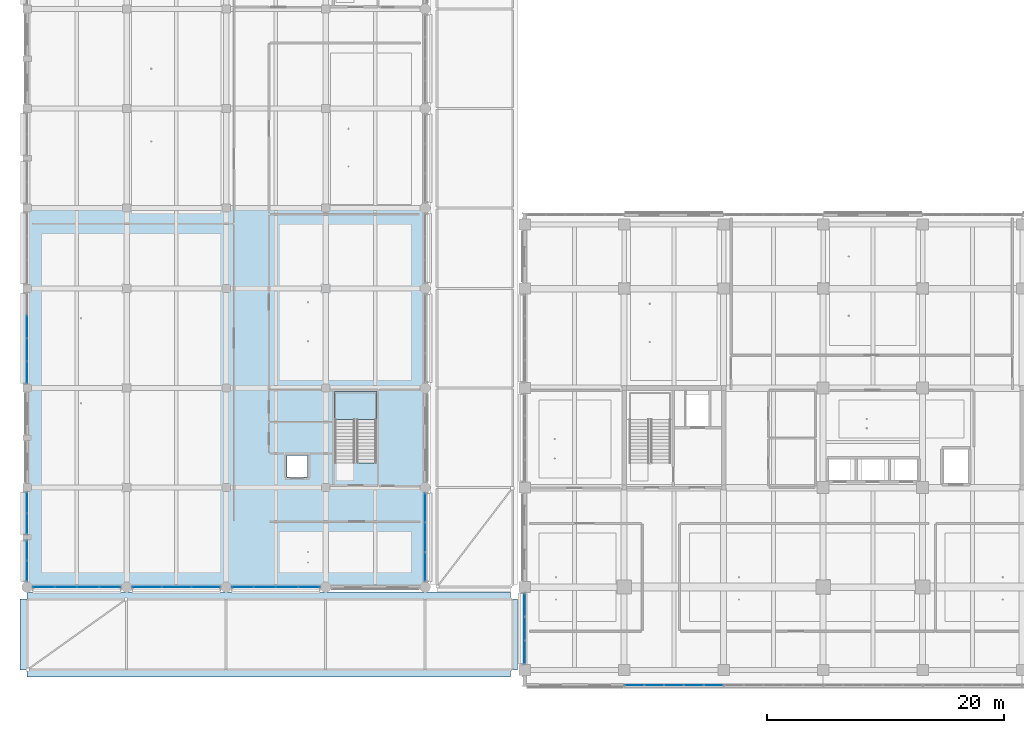
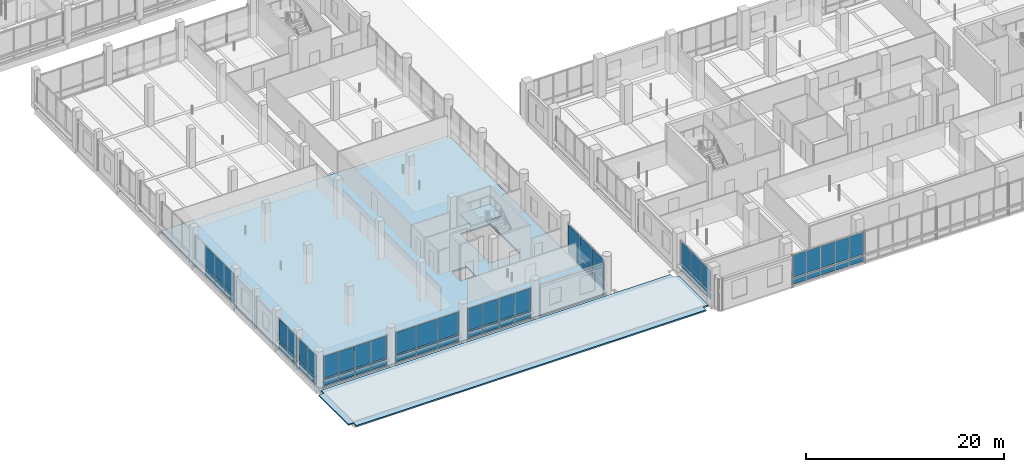
# One storey, part 38 of 128: 58 plates, 3 slabs, 10 elements without a shape of their own.
"""IFC4 building model written with IfcOpenShell, lengths in metres."""

from ifc_helpers import new_model, si_unit, direction, frame, origin, origin_2d, place, context, subcontext, project, spatial, polyline, rectangle, outline, extrude, material, layer, layer_set, type_object, element, aggregate, save


model = new_model("IFC4")

# Units and contexts
model_context = context("Model", 3, precision=1e-05, world=origin(), true_north=direction((0.0, 1.0)))
body_context = subcontext(model_context, "Body", "Model", "MODEL_VIEW")
ifc_project = project(units=[si_unit("LENGTHUNIT", "METRE"), si_unit("AREAUNIT", "SQUARE_METRE"), si_unit("VOLUMEUNIT", "CUBIC_METRE"), si_unit("PLANEANGLEUNIT", "RADIAN"), si_unit("MASSUNIT", "GRAM", prefix="KILO")], contexts=[model_context])

# Site, building, storey
site_placement = place(None, origin())
site = spatial("IfcSite", under=ifc_project, at=site_placement, CompositionType="ELEMENT")
building_placement = place(site_placement, origin())
building = spatial("IfcBuilding", under=site, at=building_placement, Name="Telukmera Botanical Conservatory", CompositionType="ELEMENT")
storey_placement = place(building_placement, frame((0.0, 0.0, 5.39990234375)))
storey = spatial("IfcBuildingStorey", under=building, at=storey_placement, Name="L01", CompositionType="ELEMENT", Elevation=5.39990234375)

# Stair, slab
ifc_material_1 = material(Name="Concrete C40/50", Category="concrete")
stair_type = type_object("IfcStairType", Name="ST-ESC-4800", PredefinedType="HALF_TURN_STAIR", material=ifc_material_1)
stair_placement = place(storey_placement, origin())
stair = element("IfcStair", 1, at=stair_placement, inside=storey, type_object=stair_type, Name="L01 Protected Escape Stair ST3", PredefinedType="HALF_TURN_STAIR")
ifc_layer_1 = layer(ifc_material_1, 0.199951171875)
ifc_layer_set_1 = layer_set([ifc_layer_1], Name="Concrete C40/50")
slab_type_1 = type_object("IfcSlabType", Name="SL-LAND-200", PredefinedType="LANDING", material=ifc_layer_set_1)
slab_1_placement = place(storey_placement, frame((0.0, 0.0, 2.2001953125)))
slab_1 = element("IfcSlab", 2, at=slab_1_placement, type_object=slab_type_1, Name="ST3 landing 1", PredefinedType="LANDING", context=body_context, shape_type="SweptSolid", body=[
    extrude(outline(polyline([(34.35009765625, 31.72998046875), (37.929931640625, 31.72998046875), (37.929931640625, 34.1201171875), (34.35009765625, 34.1201171875), (34.35009765625, 31.72998046875)])), origin(), (0.0, 0.0, 1.0), 0.199951171875),
])
aggregate(stair, [slab_1])

# Slabs
ifc_layer_2 = layer(ifc_material_1, 0.199951171875)
ifc_layer_set_2 = layer_set([ifc_layer_2], Name="Concrete C40/50")
slab_type_2 = type_object("IfcSlabType", Name="Slab_FS20", PredefinedType="FLOOR", material=ifc_layer_set_2)
slab_2_placement = place(storey_placement, frame((0.0, 0.0, -0.199951171875)))
element("IfcSlab", 3, at=slab_2_placement, inside=storey, type_object=slab_type_2, Name="Visitor Centre South Floor Slab L01", PredefinedType="FLOOR", context=body_context, shape_type="SweptSolid", body=[
    extrude(outline(polyline([(8.39990234375, 17.60009765625), (42.0, 17.60009765625), (42.0, 49.60009765625), (8.39990234375, 49.60009765625), (8.39990234375, 17.60009765625)]), holes=[polyline([(37.8798828125, 28.093017578125), (37.8798828125, 34.050048828125), (34.39990234375, 34.050048828125), (34.39990234375, 28.093017578125), (37.8798828125, 28.093017578125)]), polyline([(30.330078125, 26.8798828125), (32.070068359375, 26.8798828125), (32.070068359375, 28.719970703125), (30.330078125, 28.719970703125), (30.330078125, 26.8798828125)])]), origin(), (0.0, 0.0, 1.0), 0.199951171875),
])
ifc_layer_3 = layer(ifc_material_1, 0.159912109375)
ifc_layer_set_3 = layer_set([ifc_layer_3], Name="Concrete C40/50")
slab_type_3 = type_object("IfcSlabType", Name="Slab_RS16", PredefinedType="ROOF", material=ifc_layer_set_3)
slab_3_placement = place(storey_placement, frame((0.0, 0.0, -0.159912109375)))
element("IfcSlab", 4, at=slab_3_placement, inside=storey, type_object=slab_type_3, Name="Boulevard Canopy Roof Deck Slab (FORECOURT)", PredefinedType="ROOF", context=body_context, shape_type="SweptSolid", body=[
    extrude(outline(polyline([(8.39990234375, 10.0), (49.199951171875, 10.0), (49.199951171875, 10.60009765625), (49.800048828125, 10.60009765625), (49.800048828125, 16.60009765625), (49.199951171875, 16.60009765625), (49.199951171875, 17.199951171875), (8.39990234375, 17.199951171875), (8.39990234375, 16.60009765625), (7.800048828125, 16.60009765625), (7.800048828125, 10.60009765625), (8.39990234375, 10.60009765625), (8.39990234375, 10.0)])), origin(), (0.0, 0.0, 1.0), 0.159912109375),
])

# Curtain wall, plates
ifc_material_2 = material(Name="Anodised aluminium 6063-T6", Category="aluminium")
ifc_layer_4 = layer(ifc_material_2, 0.179931640625)
ifc_layer_set_4 = layer_set([ifc_layer_4], Name="Anodised aluminium 6063-T6")
curtain_wall_type_1 = type_object("IfcCurtainWallType", Name="Visitor Gallery Second Floor Curtain Wall 2400 Mod", PredefinedType="USERDEFINED", material=ifc_layer_set_4)
curtain_wall_1_placement = place(storey_placement, origin())
curtain_wall_1 = element("IfcCurtainWall", 5, at=curtain_wall_1_placement, inside=storey, type_object=curtain_wall_type_1, Name="Unitised Curtain Wall CW09 V3:L01:S2", ObjectType="UNITISED CURTAIN WALL", PredefinedType="USERDEFINED")
ifc_material_3 = material(Name="Spectrally selective low-E double glazing", Category="glass")
ifc_layer_5 = layer(ifc_material_3, 0.0380859375)
ifc_layer_set_5 = layer_set([ifc_layer_5], Name="Spectrally selective low-E double glazing")
plate_type_1 = type_object("IfcPlateType", Name="Solar Control Fritted Spandrel Glazing Panel 38", PredefinedType="CURTAIN_PANEL", material=ifc_layer_set_5)
plate_1_placement = place(storey_placement, frame((18.517578125, 17.60009765625, 0.130126953125), z_axis=(0.0, 0.0, 1.0), x_axis=(1.0, 0.0, 0.0)))
plate_1 = element("IfcPlate", 6, at=plate_1_placement, type_object=plate_type_1, Name="CW09 panel 1.1", PredefinedType="CURTAIN_PANEL", context=body_context, shape_type="SweptSolid", body=[
    extrude(rectangle(XDim=2.401123046875, YDim=0.0380859375, at=origin_2d()), origin(), (0.0, 0.0, 1.0), 0.7548828125),
])
plate_2_placement = place(storey_placement, frame((18.517578125, 17.60009765625, 1.01513671875), z_axis=(0.0, 0.0, 1.0), x_axis=(1.0, 0.0, 0.0)))
plate_2 = element("IfcPlate", 7, at=plate_2_placement, type_object=plate_type_1, Name="CW09 panel 1.2", PredefinedType="CURTAIN_PANEL", context=body_context, shape_type="SweptSolid", body=[
    extrude(rectangle(XDim=2.401123046875, YDim=0.0380859375, at=origin_2d()), origin(), (0.0, 0.0, 1.0), 2.705078125),
])
plate_3_placement = place(storey_placement, frame((21.0, 17.60009765625, 0.130126953125), z_axis=(0.0, 0.0, 1.0), x_axis=(1.0, 0.0, 0.0)))
plate_3 = element("IfcPlate", 8, at=plate_3_placement, type_object=plate_type_1, Name="CW09 panel 2.1", PredefinedType="CURTAIN_PANEL", context=body_context, shape_type="SweptSolid", body=[
    extrude(rectangle(XDim=2.43359375, YDim=0.0380859375, at=origin_2d()), origin(), (0.0, 0.0, 1.0), 0.7548828125),
])
plate_4_placement = place(storey_placement, frame((21.0, 17.60009765625, 1.01513671875), z_axis=(0.0, 0.0, 1.0), x_axis=(1.0, 0.0, 0.0)))
plate_4 = element("IfcPlate", 9, at=plate_4_placement, type_object=plate_type_1, Name="CW09 panel 2.2", PredefinedType="CURTAIN_PANEL", context=body_context, shape_type="SweptSolid", body=[
    extrude(rectangle(XDim=2.43359375, YDim=0.0380859375, at=origin_2d()), origin(), (0.0, 0.0, 1.0), 2.705078125),
])
plate_5_placement = place(storey_placement, frame((23.482421875, 17.60009765625, 0.130126953125), z_axis=(0.0, 0.0, 1.0), x_axis=(1.0, 0.0, 0.0)))
plate_5 = element("IfcPlate", 10, at=plate_5_placement, type_object=plate_type_1, Name="CW09 panel 3.1", PredefinedType="CURTAIN_PANEL", context=body_context, shape_type="SweptSolid", body=[
    extrude(rectangle(XDim=2.401123046875, YDim=0.0380859375, at=origin_2d()), origin(), (0.0, 0.0, 1.0), 0.7548828125),
])
plate_6_placement = place(storey_placement, frame((23.482421875, 17.60009765625, 1.01513671875), z_axis=(0.0, 0.0, 1.0), x_axis=(1.0, 0.0, 0.0)))
plate_6 = element("IfcPlate", 11, at=plate_6_placement, type_object=plate_type_1, Name="CW09 panel 3.2", PredefinedType="CURTAIN_PANEL", context=body_context, shape_type="SweptSolid", body=[
    extrude(rectangle(XDim=2.401123046875, YDim=0.0380859375, at=origin_2d()), origin(), (0.0, 0.0, 1.0), 2.705078125),
])
aggregate(curtain_wall_1, [plate_1, plate_2, plate_3, plate_4, plate_5, plate_6])

curtain_wall_2_placement = place(storey_placement, origin())
curtain_wall_2 = element("IfcCurtainWall", 12, at=curtain_wall_2_placement, inside=storey, type_object=curtain_wall_type_1, Name="Unitised Curtain Wall CW09 V3:L01:E1", ObjectType="UNITISED CURTAIN WALL", PredefinedType="USERDEFINED")
plate_7_placement = place(storey_placement, frame((42.0, 19.317626953125, 0.130126953125), z_axis=(0.0, 0.0, 1.0), x_axis=(0.0, 1.0, 0.0)))
plate_7 = element("IfcPlate", 13, at=plate_7_placement, type_object=plate_type_1, Name="CW09 panel 1.1", PredefinedType="CURTAIN_PANEL", context=body_context, shape_type="SweptSolid", body=[
    extrude(rectangle(XDim=2.401123046875, YDim=0.0380859375, at=origin_2d()), origin(), (0.0, 0.0, 1.0), 0.7548828125),
])
plate_8_placement = place(storey_placement, frame((42.0, 19.317626953125, 1.01513671875), z_axis=(0.0, 0.0, 1.0), x_axis=(0.0, 1.0, 0.0)))
plate_8 = element("IfcPlate", 14, at=plate_8_placement, type_object=plate_type_1, Name="CW09 panel 1.2", PredefinedType="CURTAIN_PANEL", context=body_context, shape_type="SweptSolid", body=[
    extrude(rectangle(XDim=2.401123046875, YDim=0.0380859375, at=origin_2d()), origin(), (0.0, 0.0, 1.0), 2.705078125),
])
plate_9_placement = place(storey_placement, frame((42.0, 21.800048828125, 0.130126953125), z_axis=(0.0, 0.0, 1.0), x_axis=(0.0, 1.0, 0.0)))
plate_9 = element("IfcPlate", 15, at=plate_9_placement, type_object=plate_type_1, Name="CW09 panel 2.1", PredefinedType="CURTAIN_PANEL", context=body_context, shape_type="SweptSolid", body=[
    extrude(rectangle(XDim=2.43359375, YDim=0.0380859375, at=origin_2d()), origin(), (0.0, 0.0, 1.0), 0.7548828125),
])
plate_10_placement = place(storey_placement, frame((42.0, 21.800048828125, 1.01513671875), z_axis=(0.0, 0.0, 1.0), x_axis=(0.0, 1.0, 0.0)))
plate_10 = element("IfcPlate", 16, at=plate_10_placement, type_object=plate_type_1, Name="CW09 panel 2.2", PredefinedType="CURTAIN_PANEL", context=body_context, shape_type="SweptSolid", body=[
    extrude(rectangle(XDim=2.43359375, YDim=0.0380859375, at=origin_2d()), origin(), (0.0, 0.0, 1.0), 2.705078125),
])
plate_11_placement = place(storey_placement, frame((42.0, 24.282470703125, 0.130126953125), z_axis=(0.0, 0.0, 1.0), x_axis=(0.0, 1.0, 0.0)))
plate_11 = element("IfcPlate", 17, at=plate_11_placement, type_object=plate_type_1, Name="CW09 panel 3.1", PredefinedType="CURTAIN_PANEL", context=body_context, shape_type="SweptSolid", body=[
    extrude(rectangle(XDim=2.401123046875, YDim=0.0380859375, at=origin_2d()), origin(), (0.0, 0.0, 1.0), 0.7548828125),
])
plate_12_placement = place(storey_placement, frame((42.0, 24.282470703125, 1.01513671875), z_axis=(0.0, 0.0, 1.0), x_axis=(0.0, 1.0, 0.0)))
plate_12 = element("IfcPlate", 18, at=plate_12_placement, type_object=plate_type_1, Name="CW09 panel 3.2", PredefinedType="CURTAIN_PANEL", context=body_context, shape_type="SweptSolid", body=[
    extrude(rectangle(XDim=2.401123046875, YDim=0.0380859375, at=origin_2d()), origin(), (0.0, 0.0, 1.0), 2.705078125),
])
aggregate(curtain_wall_2, [plate_7, plate_8, plate_9, plate_10, plate_11, plate_12])

ifc_layer_6 = layer(ifc_material_2, 0.179931640625)
ifc_layer_set_6 = layer_set([ifc_layer_6], Name="Anodised aluminium 6063-T6")
curtain_wall_type_2 = type_object("IfcCurtainWallType", Name="Visitor Gallery First Floor Curtain Wall 1800 Mod", PredefinedType="USERDEFINED", material=ifc_layer_set_6)
curtain_wall_3_placement = place(storey_placement, origin())
curtain_wall_3 = element("IfcCurtainWall", 19, at=curtain_wall_3_placement, inside=storey, type_object=curtain_wall_type_2, Name="Unitised Curtain Wall CW08 V3:L01:S1", ObjectType="UNITISED CURTAIN WALL", PredefinedType="USERDEFINED")
ifc_layer_7 = layer(ifc_material_3, 0.028076171875)
ifc_layer_set_7 = layer_set([ifc_layer_7], Name="Spectrally selective low-E double glazing")
plate_type_2 = type_object("IfcPlateType", Name="Spectrally Selective Vision Double Glazing Panel 28", PredefinedType="CURTAIN_PANEL", material=ifc_layer_set_7)
plate_13_placement = place(storey_placement, frame((9.80517578125, 17.60009765625, 0.130126953125), z_axis=(0.0, 0.0, 1.0), x_axis=(1.0, 0.0, 0.0)))
plate_13 = element("IfcPlate", 20, at=plate_13_placement, type_object=plate_type_2, Name="CW08 panel 1.1", PredefinedType="CURTAIN_PANEL", context=body_context, shape_type="SweptSolid", body=[
    extrude(rectangle(XDim=1.776611328125, YDim=0.028076171875, at=origin_2d()), origin(), (0.0, 0.0, 1.0), 0.7548828125),
])
plate_14_placement = place(storey_placement, frame((9.80517578125, 17.60009765625, 1.01513671875), z_axis=(0.0, 0.0, 1.0), x_axis=(1.0, 0.0, 0.0)))
plate_14 = element("IfcPlate", 21, at=plate_14_placement, type_object=plate_type_2, Name="CW08 panel 1.2", PredefinedType="CURTAIN_PANEL", context=body_context, shape_type="SweptSolid", body=[
    extrude(rectangle(XDim=1.776611328125, YDim=0.028076171875, at=origin_2d()), origin(), (0.0, 0.0, 1.0), 2.705078125),
])
plate_15_placement = place(storey_placement, frame((11.6630859375, 17.60009765625, 0.130126953125), z_axis=(0.0, 0.0, 1.0), x_axis=(1.0, 0.0, 0.0)))
plate_15 = element("IfcPlate", 22, at=plate_15_placement, type_object=plate_type_2, Name="CW08 panel 2.1", PredefinedType="CURTAIN_PANEL", context=body_context, shape_type="SweptSolid", body=[
    extrude(rectangle(XDim=1.80908203125, YDim=0.028076171875, at=origin_2d()), origin(), (0.0, 0.0, 1.0), 0.7548828125),
])
plate_16_placement = place(storey_placement, frame((11.6630859375, 17.60009765625, 1.01513671875), z_axis=(0.0, 0.0, 1.0), x_axis=(1.0, 0.0, 0.0)))
plate_16 = element("IfcPlate", 23, at=plate_16_placement, type_object=plate_type_2, Name="CW08 panel 2.2", PredefinedType="CURTAIN_PANEL", context=body_context, shape_type="SweptSolid", body=[
    extrude(rectangle(XDim=1.80908203125, YDim=0.028076171875, at=origin_2d()), origin(), (0.0, 0.0, 1.0), 2.705078125),
])
plate_17_placement = place(storey_placement, frame((13.537109375, 17.60009765625, 0.130126953125), z_axis=(0.0, 0.0, 1.0), x_axis=(1.0, 0.0, 0.0)))
plate_17 = element("IfcPlate", 24, at=plate_17_placement, type_object=plate_type_2, Name="CW08 panel 3.1", PredefinedType="CURTAIN_PANEL", context=body_context, shape_type="SweptSolid", body=[
    extrude(rectangle(XDim=1.80908203125, YDim=0.028076171875, at=origin_2d()), origin(), (0.0, 0.0, 1.0), 0.7548828125),
])
plate_18_placement = place(storey_placement, frame((13.537109375, 17.60009765625, 1.01513671875), z_axis=(0.0, 0.0, 1.0), x_axis=(1.0, 0.0, 0.0)))
plate_18 = element("IfcPlate", 25, at=plate_18_placement, type_object=plate_type_2, Name="CW08 panel 3.2", PredefinedType="CURTAIN_PANEL", context=body_context, shape_type="SweptSolid", body=[
    extrude(rectangle(XDim=1.80908203125, YDim=0.028076171875, at=origin_2d()), origin(), (0.0, 0.0, 1.0), 2.705078125),
])
plate_19_placement = place(storey_placement, frame((15.394775390625, 17.60009765625, 0.130126953125), z_axis=(0.0, 0.0, 1.0), x_axis=(1.0, 0.0, 0.0)))
plate_19 = element("IfcPlate", 26, at=plate_19_placement, type_object=plate_type_2, Name="CW08 panel 4.1", PredefinedType="CURTAIN_PANEL", context=body_context, shape_type="SweptSolid", body=[
    extrude(rectangle(XDim=1.776611328125, YDim=0.028076171875, at=origin_2d()), origin(), (0.0, 0.0, 1.0), 0.7548828125),
])
plate_20_placement = place(storey_placement, frame((15.394775390625, 17.60009765625, 1.01513671875), z_axis=(0.0, 0.0, 1.0), x_axis=(1.0, 0.0, 0.0)))
plate_20 = element("IfcPlate", 27, at=plate_20_placement, type_object=plate_type_2, Name="CW08 panel 4.2", PredefinedType="CURTAIN_PANEL", context=body_context, shape_type="SweptSolid", body=[
    extrude(rectangle(XDim=1.776611328125, YDim=0.028076171875, at=origin_2d()), origin(), (0.0, 0.0, 1.0), 2.705078125),
])
aggregate(curtain_wall_3, [plate_13, plate_14, plate_15, plate_16, plate_17, plate_18, plate_19, plate_20])

curtain_wall_4_placement = place(storey_placement, origin())
curtain_wall_4 = element("IfcCurtainWall", 28, at=curtain_wall_4_placement, inside=storey, type_object=curtain_wall_type_2, Name="Unitised Curtain Wall CW08 V3:L01:S3", ObjectType="UNITISED CURTAIN WALL", PredefinedType="USERDEFINED")
plate_21_placement = place(storey_placement, frame((26.605224609375, 17.60009765625, 0.130126953125), z_axis=(0.0, 0.0, 1.0), x_axis=(1.0, 0.0, 0.0)))
plate_21 = element("IfcPlate", 29, at=plate_21_placement, type_object=plate_type_2, Name="CW08 panel 1.1", PredefinedType="CURTAIN_PANEL", context=body_context, shape_type="SweptSolid", body=[
    extrude(rectangle(XDim=1.776611328125, YDim=0.028076171875, at=origin_2d()), origin(), (0.0, 0.0, 1.0), 0.7548828125),
])
plate_22_placement = place(storey_placement, frame((26.605224609375, 17.60009765625, 1.01513671875), z_axis=(0.0, 0.0, 1.0), x_axis=(1.0, 0.0, 0.0)))
plate_22 = element("IfcPlate", 30, at=plate_22_placement, type_object=plate_type_2, Name="CW08 panel 1.2", PredefinedType="CURTAIN_PANEL", context=body_context, shape_type="SweptSolid", body=[
    extrude(rectangle(XDim=1.776611328125, YDim=0.028076171875, at=origin_2d()), origin(), (0.0, 0.0, 1.0), 2.705078125),
])
plate_23_placement = place(storey_placement, frame((28.462890625, 17.60009765625, 0.130126953125), z_axis=(0.0, 0.0, 1.0), x_axis=(1.0, 0.0, 0.0)))
plate_23 = element("IfcPlate", 31, at=plate_23_placement, type_object=plate_type_2, Name="CW08 panel 2.1", PredefinedType="CURTAIN_PANEL", context=body_context, shape_type="SweptSolid", body=[
    extrude(rectangle(XDim=1.80908203125, YDim=0.028076171875, at=origin_2d()), origin(), (0.0, 0.0, 1.0), 0.7548828125),
])
plate_24_placement = place(storey_placement, frame((28.462890625, 17.60009765625, 1.01513671875), z_axis=(0.0, 0.0, 1.0), x_axis=(1.0, 0.0, 0.0)))
plate_24 = element("IfcPlate", 32, at=plate_24_placement, type_object=plate_type_2, Name="CW08 panel 2.2", PredefinedType="CURTAIN_PANEL", context=body_context, shape_type="SweptSolid", body=[
    extrude(rectangle(XDim=1.80908203125, YDim=0.028076171875, at=origin_2d()), origin(), (0.0, 0.0, 1.0), 2.705078125),
])
plate_25_placement = place(storey_placement, frame((30.3369140625, 17.60009765625, 0.130126953125), z_axis=(0.0, 0.0, 1.0), x_axis=(1.0, 0.0, 0.0)))
plate_25 = element("IfcPlate", 33, at=plate_25_placement, type_object=plate_type_2, Name="CW08 panel 3.1", PredefinedType="CURTAIN_PANEL", context=body_context, shape_type="SweptSolid", body=[
    extrude(rectangle(XDim=1.80908203125, YDim=0.028076171875, at=origin_2d()), origin(), (0.0, 0.0, 1.0), 0.7548828125),
])
plate_26_placement = place(storey_placement, frame((30.3369140625, 17.60009765625, 1.01513671875), z_axis=(0.0, 0.0, 1.0), x_axis=(1.0, 0.0, 0.0)))
plate_26 = element("IfcPlate", 34, at=plate_26_placement, type_object=plate_type_2, Name="CW08 panel 3.2", PredefinedType="CURTAIN_PANEL", context=body_context, shape_type="SweptSolid", body=[
    extrude(rectangle(XDim=1.80908203125, YDim=0.028076171875, at=origin_2d()), origin(), (0.0, 0.0, 1.0), 2.705078125),
])
plate_27_placement = place(storey_placement, frame((32.19482421875, 17.60009765625, 0.130126953125), z_axis=(0.0, 0.0, 1.0), x_axis=(1.0, 0.0, 0.0)))
plate_27 = element("IfcPlate", 35, at=plate_27_placement, type_object=plate_type_2, Name="CW08 panel 4.1", PredefinedType="CURTAIN_PANEL", context=body_context, shape_type="SweptSolid", body=[
    extrude(rectangle(XDim=1.776611328125, YDim=0.028076171875, at=origin_2d()), origin(), (0.0, 0.0, 1.0), 0.7548828125),
])
plate_28_placement = place(storey_placement, frame((32.19482421875, 17.60009765625, 1.01513671875), z_axis=(0.0, 0.0, 1.0), x_axis=(1.0, 0.0, 0.0)))
plate_28 = element("IfcPlate", 36, at=plate_28_placement, type_object=plate_type_2, Name="CW08 panel 4.2", PredefinedType="CURTAIN_PANEL", context=body_context, shape_type="SweptSolid", body=[
    extrude(rectangle(XDim=1.776611328125, YDim=0.028076171875, at=origin_2d()), origin(), (0.0, 0.0, 1.0), 2.705078125),
])
aggregate(curtain_wall_4, [plate_21, plate_22, plate_23, plate_24, plate_25, plate_26, plate_27, plate_28])

curtain_wall_5_placement = place(storey_placement, origin())
curtain_wall_5 = element("IfcCurtainWall", 37, at=curtain_wall_5_placement, inside=storey, type_object=curtain_wall_type_2, Name="Unitised Curtain Wall CW08 V3:L01:W1A", ObjectType="UNITISED CURTAIN WALL", PredefinedType="USERDEFINED")
plate_29_placement = place(storey_placement, frame((8.39990234375, 18.948486328125, 0.130126953125), z_axis=(0.0, 0.0, 1.0), x_axis=(0.0, 1.0, 0.0)))
plate_29 = element("IfcPlate", 38, at=plate_29_placement, type_object=plate_type_2, Name="CW08 panel 1.1", PredefinedType="CURTAIN_PANEL", context=body_context, shape_type="SweptSolid", body=[
    extrude(rectangle(XDim=1.6630859375, YDim=0.028076171875, at=origin_2d()), origin(), (0.0, 0.0, 1.0), 0.7548828125),
])
plate_30_placement = place(storey_placement, frame((8.39990234375, 18.948486328125, 1.01513671875), z_axis=(0.0, 0.0, 1.0), x_axis=(0.0, 1.0, 0.0)))
plate_30 = element("IfcPlate", 39, at=plate_30_placement, type_object=plate_type_2, Name="CW08 panel 1.2", PredefinedType="CURTAIN_PANEL", context=body_context, shape_type="SweptSolid", body=[
    extrude(rectangle(XDim=1.6630859375, YDim=0.028076171875, at=origin_2d()), origin(), (0.0, 0.0, 1.0), 2.705078125),
])
plate_31_placement = place(storey_placement, frame((8.39990234375, 20.676513671875, 0.130126953125), z_axis=(0.0, 0.0, 1.0), x_axis=(0.0, 1.0, 0.0)))
plate_31 = element("IfcPlate", 40, at=plate_31_placement, type_object=plate_type_2, Name="CW08 panel 2.1", PredefinedType="CURTAIN_PANEL", context=body_context, shape_type="SweptSolid", body=[
    extrude(rectangle(XDim=1.6630859375, YDim=0.028076171875, at=origin_2d()), origin(), (0.0, 0.0, 1.0), 0.7548828125),
])
plate_32_placement = place(storey_placement, frame((8.39990234375, 20.676513671875, 1.01513671875), z_axis=(0.0, 0.0, 1.0), x_axis=(0.0, 1.0, 0.0)))
plate_32 = element("IfcPlate", 41, at=plate_32_placement, type_object=plate_type_2, Name="CW08 panel 2.2", PredefinedType="CURTAIN_PANEL", context=body_context, shape_type="SweptSolid", body=[
    extrude(rectangle(XDim=1.6630859375, YDim=0.028076171875, at=origin_2d()), origin(), (0.0, 0.0, 1.0), 2.705078125),
])
aggregate(curtain_wall_5, [plate_29, plate_30, plate_31, plate_32])

curtain_wall_6_placement = place(storey_placement, origin())
curtain_wall_6 = element("IfcCurtainWall", 42, at=curtain_wall_6_placement, inside=storey, type_object=curtain_wall_type_2, Name="Unitised Curtain Wall CW08 V3:L01:W1B", ObjectType="UNITISED CURTAIN WALL", PredefinedType="USERDEFINED")
plate_33_placement = place(storey_placement, frame((8.39990234375, 22.948486328125, 0.130126953125), z_axis=(0.0, 0.0, 1.0), x_axis=(0.0, 1.0, 0.0)))
plate_33 = element("IfcPlate", 43, at=plate_33_placement, type_object=plate_type_2, Name="CW08 panel 1.1", PredefinedType="CURTAIN_PANEL", context=body_context, shape_type="SweptSolid", body=[
    extrude(rectangle(XDim=1.712890625, YDim=0.028076171875, at=origin_2d()), origin(), (0.0, 0.0, 1.0), 0.7548828125),
])
plate_34_placement = place(storey_placement, frame((8.39990234375, 22.948486328125, 1.01513671875), z_axis=(0.0, 0.0, 1.0), x_axis=(0.0, 1.0, 0.0)))
plate_34 = element("IfcPlate", 44, at=plate_34_placement, type_object=plate_type_2, Name="CW08 panel 1.2", PredefinedType="CURTAIN_PANEL", context=body_context, shape_type="SweptSolid", body=[
    extrude(rectangle(XDim=1.712890625, YDim=0.028076171875, at=origin_2d()), origin(), (0.0, 0.0, 1.0), 2.705078125),
])
plate_35_placement = place(storey_placement, frame((8.39990234375, 24.7265625, 0.130126953125), z_axis=(0.0, 0.0, 1.0), x_axis=(0.0, 1.0, 0.0)))
plate_35 = element("IfcPlate", 45, at=plate_35_placement, type_object=plate_type_2, Name="CW08 panel 2.1", PredefinedType="CURTAIN_PANEL", context=body_context, shape_type="SweptSolid", body=[
    extrude(rectangle(XDim=1.712890625, YDim=0.028076171875, at=origin_2d()), origin(), (0.0, 0.0, 1.0), 0.7548828125),
])
plate_36_placement = place(storey_placement, frame((8.39990234375, 24.7265625, 1.01513671875), z_axis=(0.0, 0.0, 1.0), x_axis=(0.0, 1.0, 0.0)))
plate_36 = element("IfcPlate", 46, at=plate_36_placement, type_object=plate_type_2, Name="CW08 panel 2.2", PredefinedType="CURTAIN_PANEL", context=body_context, shape_type="SweptSolid", body=[
    extrude(rectangle(XDim=1.712890625, YDim=0.028076171875, at=origin_2d()), origin(), (0.0, 0.0, 1.0), 2.705078125),
])
aggregate(curtain_wall_6, [plate_33, plate_34, plate_35, plate_36])

curtain_wall_7_placement = place(storey_placement, origin())
curtain_wall_7 = element("IfcCurtainWall", 47, at=curtain_wall_7_placement, inside=storey, type_object=curtain_wall_type_2, Name="Unitised Curtain Wall CW08 V3:L01:W3", ObjectType="UNITISED CURTAIN WALL", PredefinedType="USERDEFINED")
plate_37_placement = place(storey_placement, frame((8.39990234375, 35.730224609375, 0.130126953125), z_axis=(0.0, 0.0, 1.0), x_axis=(0.0, 1.0, 0.0)))
plate_37 = element("IfcPlate", 48, at=plate_37_placement, type_object=plate_type_2, Name="CW08 panel 1.1", PredefinedType="CURTAIN_PANEL", context=body_context, shape_type="SweptSolid", body=[
    extrude(rectangle(XDim=1.826416015625, YDim=0.028076171875, at=origin_2d()), origin(), (0.0, 0.0, 1.0), 0.7548828125),
])
plate_38_placement = place(storey_placement, frame((8.39990234375, 35.730224609375, 1.01513671875), z_axis=(0.0, 0.0, 1.0), x_axis=(0.0, 1.0, 0.0)))
plate_38 = element("IfcPlate", 49, at=plate_38_placement, type_object=plate_type_2, Name="CW08 panel 1.2", PredefinedType="CURTAIN_PANEL", context=body_context, shape_type="SweptSolid", body=[
    extrude(rectangle(XDim=1.826416015625, YDim=0.028076171875, at=origin_2d()), origin(), (0.0, 0.0, 1.0), 2.705078125),
])
plate_39_placement = place(storey_placement, frame((8.39990234375, 37.637939453125, 0.130126953125), z_axis=(0.0, 0.0, 1.0), x_axis=(0.0, 1.0, 0.0)))
plate_39 = element("IfcPlate", 50, at=plate_39_placement, type_object=plate_type_2, Name="CW08 panel 2.1", PredefinedType="CURTAIN_PANEL", context=body_context, shape_type="SweptSolid", body=[
    extrude(rectangle(XDim=1.85888671875, YDim=0.028076171875, at=origin_2d()), origin(), (0.0, 0.0, 1.0), 0.7548828125),
])
plate_40_placement = place(storey_placement, frame((8.39990234375, 37.637939453125, 1.01513671875), z_axis=(0.0, 0.0, 1.0), x_axis=(0.0, 1.0, 0.0)))
plate_40 = element("IfcPlate", 51, at=plate_40_placement, type_object=plate_type_2, Name="CW08 panel 2.2", PredefinedType="CURTAIN_PANEL", context=body_context, shape_type="SweptSolid", body=[
    extrude(rectangle(XDim=1.85888671875, YDim=0.028076171875, at=origin_2d()), origin(), (0.0, 0.0, 1.0), 2.705078125),
])
plate_41_placement = place(storey_placement, frame((8.39990234375, 39.56201171875, 0.130126953125), z_axis=(0.0, 0.0, 1.0), x_axis=(0.0, 1.0, 0.0)))
plate_41 = element("IfcPlate", 52, at=plate_41_placement, type_object=plate_type_2, Name="CW08 panel 3.1", PredefinedType="CURTAIN_PANEL", context=body_context, shape_type="SweptSolid", body=[
    extrude(rectangle(XDim=1.85888671875, YDim=0.028076171875, at=origin_2d()), origin(), (0.0, 0.0, 1.0), 0.7548828125),
])
plate_42_placement = place(storey_placement, frame((8.39990234375, 39.56201171875, 1.01513671875), z_axis=(0.0, 0.0, 1.0), x_axis=(0.0, 1.0, 0.0)))
plate_42 = element("IfcPlate", 53, at=plate_42_placement, type_object=plate_type_2, Name="CW08 panel 3.2", PredefinedType="CURTAIN_PANEL", context=body_context, shape_type="SweptSolid", body=[
    extrude(rectangle(XDim=1.85888671875, YDim=0.028076171875, at=origin_2d()), origin(), (0.0, 0.0, 1.0), 2.705078125),
])
aggregate(curtain_wall_7, [plate_37, plate_38, plate_39, plate_40, plate_41, plate_42])

ifc_layer_8 = layer(ifc_material_2, 0.179931640625)
ifc_layer_set_8 = layer_set([ifc_layer_8], Name="Anodised aluminium 6063-T6")
curtain_wall_type_3 = type_object("IfcCurtainWallType", Name="Tower Reference Library Curtain Wall", PredefinedType="USERDEFINED", material=ifc_layer_set_8)
curtain_wall_8_placement = place(storey_placement, origin())
curtain_wall_8 = element("IfcCurtainWall", 54, at=curtain_wall_8_placement, inside=storey, type_object=curtain_wall_type_3, Name="Unitised Curtain Wall CW13 V4:L01:S2", ObjectType="UNITISED CURTAIN WALL", PredefinedType="USERDEFINED")
plate_43_placement = place(storey_placement, frame((59.657958984375, 9.320068359375, 0.130126953125), z_axis=(0.0, 0.0, 1.0), x_axis=(1.0, 0.0, 0.0)))
plate_43 = element("IfcPlate", 55, at=plate_43_placement, type_object=plate_type_2, Name="CW13 panel 1.1", PredefinedType="CURTAIN_PANEL", context=body_context, shape_type="SweptSolid", body=[
    extrude(rectangle(XDim=1.581787109375, YDim=0.028076171875, at=origin_2d()), origin(), (0.0, 0.0, 1.0), 0.7548828125),
])
plate_44_placement = place(storey_placement, frame((59.657958984375, 9.320068359375, 1.01513671875), z_axis=(0.0, 0.0, 1.0), x_axis=(1.0, 0.0, 0.0)))
plate_44 = element("IfcPlate", 56, at=plate_44_placement, type_object=plate_type_2, Name="CW13 panel 1.2", PredefinedType="CURTAIN_PANEL", context=body_context, shape_type="SweptSolid", body=[
    extrude(rectangle(XDim=1.581787109375, YDim=0.028076171875, at=origin_2d()), origin(), (0.0, 0.0, 1.0), 2.705078125),
])
plate_45_placement = place(storey_placement, frame((61.32080078125, 9.320068359375, 0.130126953125), z_axis=(0.0, 0.0, 1.0), x_axis=(1.0, 0.0, 0.0)))
plate_45 = element("IfcPlate", 57, at=plate_45_placement, type_object=plate_type_2, Name="CW13 panel 2.1", PredefinedType="CURTAIN_PANEL", context=body_context, shape_type="SweptSolid", body=[
    extrude(rectangle(XDim=1.6142578125, YDim=0.028076171875, at=origin_2d()), origin(), (0.0, 0.0, 1.0), 0.7548828125),
])
plate_46_placement = place(storey_placement, frame((61.32080078125, 9.320068359375, 1.01513671875), z_axis=(0.0, 0.0, 1.0), x_axis=(1.0, 0.0, 0.0)))
plate_46 = element("IfcPlate", 58, at=plate_46_placement, type_object=plate_type_2, Name="CW13 panel 2.2", PredefinedType="CURTAIN_PANEL", context=body_context, shape_type="SweptSolid", body=[
    extrude(rectangle(XDim=1.6142578125, YDim=0.028076171875, at=origin_2d()), origin(), (0.0, 0.0, 1.0), 2.705078125),
])
plate_47_placement = place(storey_placement, frame((63.0, 9.320068359375, 0.130126953125), z_axis=(0.0, 0.0, 1.0), x_axis=(1.0, 0.0, 0.0)))
plate_47 = element("IfcPlate", 59, at=plate_47_placement, type_object=plate_type_2, Name="CW13 panel 3.1", PredefinedType="CURTAIN_PANEL", context=body_context, shape_type="SweptSolid", body=[
    extrude(rectangle(XDim=1.6142578125, YDim=0.028076171875, at=origin_2d()), origin(), (0.0, 0.0, 1.0), 0.7548828125),
])
plate_48_placement = place(storey_placement, frame((63.0, 9.320068359375, 1.01513671875), z_axis=(0.0, 0.0, 1.0), x_axis=(1.0, 0.0, 0.0)))
plate_48 = element("IfcPlate", 60, at=plate_48_placement, type_object=plate_type_2, Name="CW13 panel 3.2", PredefinedType="CURTAIN_PANEL", context=body_context, shape_type="SweptSolid", body=[
    extrude(rectangle(XDim=1.6142578125, YDim=0.028076171875, at=origin_2d()), origin(), (0.0, 0.0, 1.0), 2.705078125),
])
plate_49_placement = place(storey_placement, frame((64.67919921875, 9.320068359375, 0.130126953125), z_axis=(0.0, 0.0, 1.0), x_axis=(1.0, 0.0, 0.0)))
plate_49 = element("IfcPlate", 61, at=plate_49_placement, type_object=plate_type_2, Name="CW13 panel 4.1", PredefinedType="CURTAIN_PANEL", context=body_context, shape_type="SweptSolid", body=[
    extrude(rectangle(XDim=1.6142578125, YDim=0.028076171875, at=origin_2d()), origin(), (0.0, 0.0, 1.0), 0.7548828125),
])
plate_50_placement = place(storey_placement, frame((64.67919921875, 9.320068359375, 1.01513671875), z_axis=(0.0, 0.0, 1.0), x_axis=(1.0, 0.0, 0.0)))
plate_50 = element("IfcPlate", 62, at=plate_50_placement, type_object=plate_type_2, Name="CW13 panel 4.2", PredefinedType="CURTAIN_PANEL", context=body_context, shape_type="SweptSolid", body=[
    extrude(rectangle(XDim=1.6142578125, YDim=0.028076171875, at=origin_2d()), origin(), (0.0, 0.0, 1.0), 2.705078125),
])
plate_51_placement = place(storey_placement, frame((66.342041015625, 9.320068359375, 0.130126953125), z_axis=(0.0, 0.0, 1.0), x_axis=(1.0, 0.0, 0.0)))
plate_51 = element("IfcPlate", 63, at=plate_51_placement, type_object=plate_type_2, Name="CW13 panel 5.1", PredefinedType="CURTAIN_PANEL", context=body_context, shape_type="SweptSolid", body=[
    extrude(rectangle(XDim=1.581787109375, YDim=0.028076171875, at=origin_2d()), origin(), (0.0, 0.0, 1.0), 0.7548828125),
])
plate_52_placement = place(storey_placement, frame((66.342041015625, 9.320068359375, 1.01513671875), z_axis=(0.0, 0.0, 1.0), x_axis=(1.0, 0.0, 0.0)))
plate_52 = element("IfcPlate", 64, at=plate_52_placement, type_object=plate_type_2, Name="CW13 panel 5.2", PredefinedType="CURTAIN_PANEL", context=body_context, shape_type="SweptSolid", body=[
    extrude(rectangle(XDim=1.581787109375, YDim=0.028076171875, at=origin_2d()), origin(), (0.0, 0.0, 1.0), 2.705078125),
])
aggregate(curtain_wall_8, [plate_43, plate_44, plate_45, plate_46, plate_47, plate_48, plate_49, plate_50, plate_51, plate_52])

curtain_wall_9_placement = place(storey_placement, origin())
curtain_wall_9 = element("IfcCurtainWall", 65, at=curtain_wall_9_placement, inside=storey, type_object=curtain_wall_type_3, Name="Unitised Curtain Wall CW13 V4:L01:W1", ObjectType="UNITISED CURTAIN WALL", PredefinedType="USERDEFINED")
plate_53_placement = place(storey_placement, frame((50.39990234375, 12.100830078125, 0.130126953125), z_axis=(0.0, 0.0, 1.0), x_axis=(0.0, 1.0, 0.0)))
plate_53 = element("IfcPlate", 66, at=plate_53_placement, type_object=plate_type_2, Name="CW13 panel 1.1", PredefinedType="CURTAIN_PANEL", context=body_context, shape_type="SweptSolid", body=[
    extrude(rectangle(XDim=1.917724609375, YDim=0.028076171875, at=origin_2d()), origin(), (0.0, 0.0, 1.0), 0.7548828125),
])
plate_54_placement = place(storey_placement, frame((50.39990234375, 12.100830078125, 1.01513671875), z_axis=(0.0, 0.0, 1.0), x_axis=(0.0, 1.0, 0.0)))
plate_54 = element("IfcPlate", 67, at=plate_54_placement, type_object=plate_type_2, Name="CW13 panel 1.2", PredefinedType="CURTAIN_PANEL", context=body_context, shape_type="SweptSolid", body=[
    extrude(rectangle(XDim=1.917724609375, YDim=0.028076171875, at=origin_2d()), origin(), (0.0, 0.0, 1.0), 2.705078125),
])
plate_55_placement = place(storey_placement, frame((50.39990234375, 14.10009765625, 0.130126953125), z_axis=(0.0, 0.0, 1.0), x_axis=(0.0, 1.0, 0.0)))
plate_55 = element("IfcPlate", 68, at=plate_55_placement, type_object=plate_type_2, Name="CW13 panel 2.1", PredefinedType="CURTAIN_PANEL", context=body_context, shape_type="SweptSolid", body=[
    extrude(rectangle(XDim=1.950439453125, YDim=0.028076171875, at=origin_2d()), origin(), (0.0, 0.0, 1.0), 0.7548828125),
])
plate_56_placement = place(storey_placement, frame((50.39990234375, 14.10009765625, 1.01513671875), z_axis=(0.0, 0.0, 1.0), x_axis=(0.0, 1.0, 0.0)))
plate_56 = element("IfcPlate", 69, at=plate_56_placement, type_object=plate_type_2, Name="CW13 panel 2.2", PredefinedType="CURTAIN_PANEL", context=body_context, shape_type="SweptSolid", body=[
    extrude(rectangle(XDim=1.950439453125, YDim=0.028076171875, at=origin_2d()), origin(), (0.0, 0.0, 1.0), 2.705078125),
])
plate_57_placement = place(storey_placement, frame((50.39990234375, 16.09912109375, 0.130126953125), z_axis=(0.0, 0.0, 1.0), x_axis=(0.0, 1.0, 0.0)))
plate_57 = element("IfcPlate", 70, at=plate_57_placement, type_object=plate_type_2, Name="CW13 panel 3.1", PredefinedType="CURTAIN_PANEL", context=body_context, shape_type="SweptSolid", body=[
    extrude(rectangle(XDim=1.917724609375, YDim=0.028076171875, at=origin_2d()), origin(), (0.0, 0.0, 1.0), 0.7548828125),
])
plate_58_placement = place(storey_placement, frame((50.39990234375, 16.09912109375, 1.01513671875), z_axis=(0.0, 0.0, 1.0), x_axis=(0.0, 1.0, 0.0)))
plate_58 = element("IfcPlate", 71, at=plate_58_placement, type_object=plate_type_2, Name="CW13 panel 3.2", PredefinedType="CURTAIN_PANEL", context=body_context, shape_type="SweptSolid", body=[
    extrude(rectangle(XDim=1.917724609375, YDim=0.028076171875, at=origin_2d()), origin(), (0.0, 0.0, 1.0), 2.705078125),
])
aggregate(curtain_wall_9, [plate_53, plate_54, plate_55, plate_56, plate_57, plate_58])

save(model, "model.ifc")
